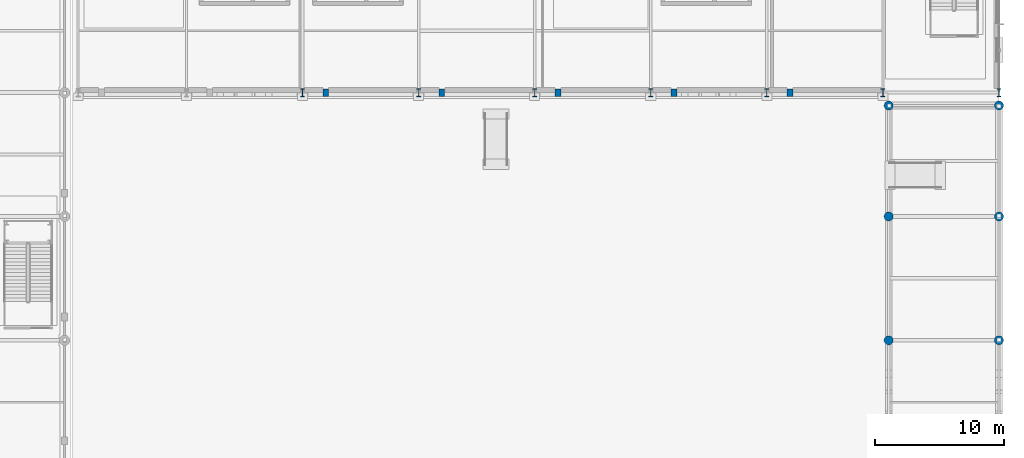
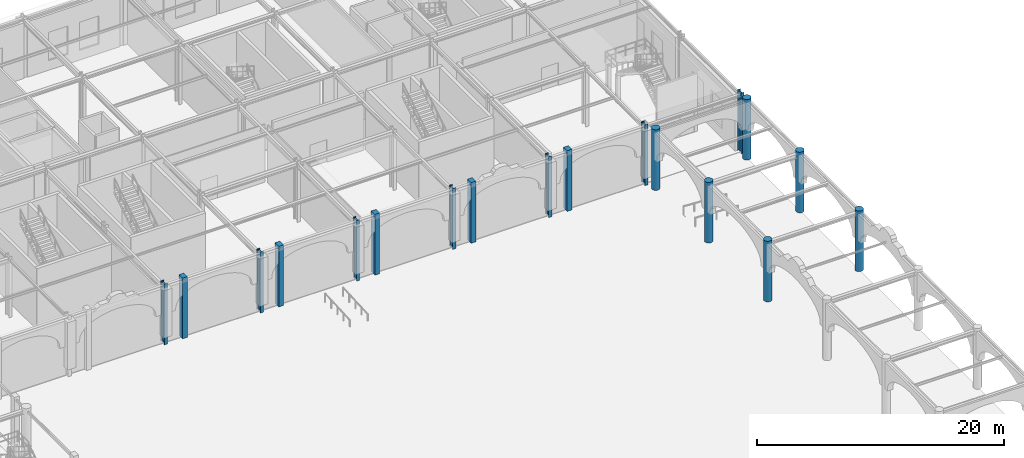
# One storey, part 22 of 113: 18 columns.
"""IFC4 building model written with IfcOpenShell, lengths in metres."""

from ifc_helpers import new_model, si_unit, direction, frame, origin, origin_2d, place, context, subcontext, project, spatial, rectangle, circle, i_section, extrude, material, material_profile, profile_set, type_object, element, save


model = new_model("IFC4")

# Units and contexts
model_context = context("Model", 3, precision=1e-05, world=origin(), true_north=direction((0.0, 1.0)))
body_context = subcontext(model_context, "Body", "Model", "MODEL_VIEW")
ifc_project = project(units=[si_unit("LENGTHUNIT", "METRE"), si_unit("AREAUNIT", "SQUARE_METRE"), si_unit("VOLUMEUNIT", "CUBIC_METRE"), si_unit("PLANEANGLEUNIT", "RADIAN"), si_unit("MASSUNIT", "GRAM", prefix="KILO")], contexts=[model_context])

# Site, building, storey
site_placement = place(None, origin())
site = spatial("IfcSite", under=ifc_project, at=site_placement, CompositionType="ELEMENT")
building_placement = place(site_placement, origin())
building = spatial("IfcBuilding", under=site, at=building_placement, Name="Myrtia Square Station", CompositionType="ELEMENT")
storey_placement = place(building_placement, origin())
storey = spatial("IfcBuildingStorey", under=building, at=storey_placement, Name="L00", CompositionType="ELEMENT", Elevation=0.0)

# Columns
ifc_material_1 = material(Name="Steel S355", Category="steel")
ifc_material_profile_1 = material_profile(ifc_material_1, i_section(OverallWidth=0.300048828125, OverallDepth=0.60009765625, WebThickness=0.015380859375, FlangeThickness=0.030029296875, FilletRadius=0.027099609375, at=origin_2d()), Name="HEB 600")
ifc_profile_set_1 = profile_set([ifc_material_profile_1], Name="Steel S355")
column_type_1 = type_object("IfcColumnType", Name="COL-HEB600", PredefinedType="COLUMN", material=ifc_profile_set_1)
for number, where, z_axis, x_axis, name in (
    (1, (135.0, 86.39990234375, 0.0), (0.0, 0.0, 1.0), (1.0, 0.0, 0.0), "Column L00-0810"),
    (2, (144.0, 86.39990234375, 0.0), (0.0, 0.0, 1.0), (1.0, 0.0, 0.0), "Column L00-0840"),
    (3, (153.0, 86.39990234375, 0.0), (0.0, 0.0, 1.0), (1.0, 0.0, 0.0), "Column L00-0870"),
    (4, (162.0, 86.39990234375, 0.0), (0.0, 0.0, 1.0), (1.0, 0.0, 0.0), "Column L00-0899"),
    (5, (171.0, 86.39990234375, 0.0), (0.0, 0.0, 1.0), (1.0, 0.0, 0.0), "Column L00-0929"),
    (6, (180.0, 86.39990234375, 0.0), (0.0, 0.0, 1.0), (1.0, 0.0, 0.0), "Column L00-0959"),
    (7, (189.0, 86.39990234375, 0.0), (0.0, 0.0, 1.0), (1.0, 0.0, 0.0), "Column L00-0989"),
):
    element("IfcColumn", number, at=place(storey_placement, frame(where, z_axis=z_axis, x_axis=x_axis)), inside=storey, type_object=column_type_1, Name=name, PredefinedType="COLUMN", context=body_context, shape_type="SweptSolid", body=[
        extrude(i_section(OverallWidth=0.300048828125, OverallDepth=0.60009765625, WebThickness=0.015380859375, FlangeThickness=0.030029296875, FilletRadius=0.027099609375, at=origin_2d()), origin(), (0.0, 0.0, 1.0), 6.0),
    ])
ifc_material_2 = material(Name="Concrete C40/50", Category="concrete")
ifc_material_profile_2 = material_profile(ifc_material_2, circle(Radius=0.35009765625, at=origin_2d()), Name="RC D700")
ifc_profile_set_2 = profile_set([ifc_material_profile_2], Name="Concrete C40/50")
column_type_2 = type_object("IfcColumnType", Name="COL-RCD700", PredefinedType="COLUMN", material=ifc_profile_set_2)
for number, where, z_axis, x_axis, name in (
    (8, (180.449951171875, 67.199951171875, 0.0), (0.0, 0.0, 1.0), (1.0, 0.0, 0.0), "Column L00-0488"),
    (9, (180.449951171875, 76.800048828125, 0.0), (0.0, 0.0, 1.0), (1.0, 0.0, 0.0), "Column L00-0490"),
    (10, (180.449951171875, 85.39990234375, 0.0), (0.0, 0.0, 1.0), (1.0, 0.0, 0.0), "Column L00-0492"),
    (11, (189.0, 67.199951171875, 0.0), (0.0, 0.0, 1.0), (1.0, 0.0, 0.0), "Column L00-0500"),
    (12, (189.0, 76.800048828125, 0.0), (0.0, 0.0, 1.0), (1.0, 0.0, 0.0), "Column L00-0502"),
    (13, (189.0, 85.39990234375, 0.0), (0.0, 0.0, 1.0), (1.0, 0.0, 0.0), "Column L00-0504"),
):
    element("IfcColumn", number, at=place(storey_placement, frame(where, z_axis=z_axis, x_axis=x_axis)), inside=storey, type_object=column_type_2, Name=name, PredefinedType="COLUMN", context=body_context, shape_type="SweptSolid", body=[
        extrude(circle(Radius=0.35009765625, at=origin_2d()), origin(), (0.0, 0.0, 1.0), 6.0),
    ])
ifc_material_profile_3 = material_profile(ifc_material_2, rectangle(XDim=0.449951171875, YDim=0.60009765625, at=origin_2d()), Name="PIL 450x600")
ifc_profile_set_3 = profile_set([ifc_material_profile_3], Name="Concrete C40/50")
column_type_3 = type_object("IfcColumnType", Name="PIL-RC450x600", PredefinedType="PILASTER", material=ifc_profile_set_3)
for number, where, z_axis, x_axis, name in (
    (14, (136.800048828125, 86.39990234375, 0.0), (0.0, 0.0, 1.0), (1.0, 0.0, 0.0), "Portales arcade pilaster L00-15"),
    (15, (145.800048828125, 86.39990234375, 0.0), (0.0, 0.0, 1.0), (1.0, 0.0, 0.0), "Portales arcade pilaster L00-16"),
    (16, (154.800048828125, 86.39990234375, 0.0), (0.0, 0.0, 1.0), (1.0, 0.0, 0.0), "Portales arcade pilaster L00-17"),
    (17, (163.800048828125, 86.39990234375, 0.0), (0.0, 0.0, 1.0), (1.0, 0.0, 0.0), "Portales arcade pilaster L00-18"),
    (18, (172.800048828125, 86.39990234375, 0.0), (0.0, 0.0, 1.0), (1.0, 0.0, 0.0), "Portales arcade pilaster L00-19"),
):
    element("IfcColumn", number, at=place(storey_placement, frame(where, z_axis=z_axis, x_axis=x_axis)), inside=storey, type_object=column_type_3, Name=name, PredefinedType="PILASTER", context=body_context, shape_type="SweptSolid", body=[
        extrude(rectangle(XDim=0.449951171875, YDim=0.60009765625, at=origin_2d()), origin(), (0.0, 0.0, 1.0), 6.0),
    ])

save(model, "model.ifc")
